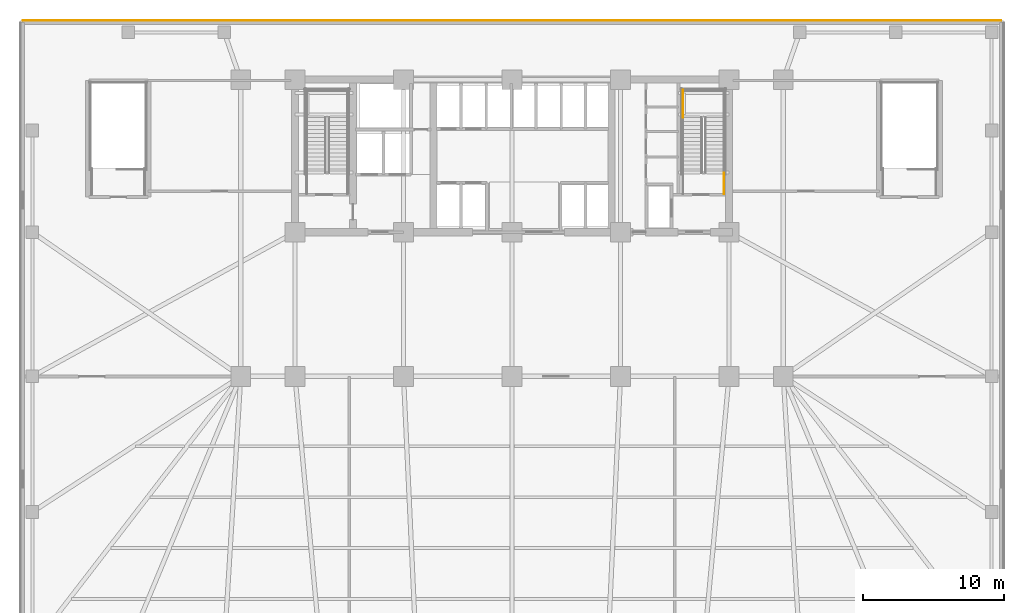
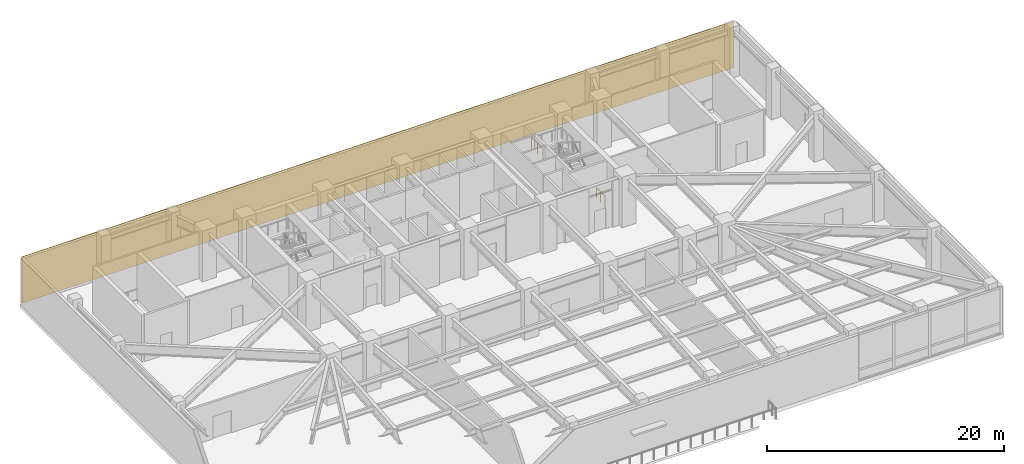
# One storey, part 13 of 15: 2 railings, 1 covering.
"""IFC4 building model written with IfcOpenShell, lengths in metres."""

from ifc_helpers import new_model, si_unit, direction, frame, frame_2d, origin, origin_2d, place, context, subcontext, project, spatial, rectangle, circle, extrude, material, layer, layer_set, type_object, element, save


model = new_model("IFC4")

# Units and contexts
model_context = context("Model", 3, precision=1e-05, world=origin(), true_north=direction((0.0, 1.0)))
body_context = subcontext(model_context, "Body", "Model", "MODEL_VIEW")
ifc_project = project(units=[si_unit("LENGTHUNIT", "METRE"), si_unit("AREAUNIT", "SQUARE_METRE"), si_unit("VOLUMEUNIT", "CUBIC_METRE"), si_unit("PLANEANGLEUNIT", "RADIAN"), si_unit("MASSUNIT", "GRAM", prefix="KILO")], contexts=[model_context])

# Site, building, storey
site_placement = place(None, origin())
site = spatial("IfcSite", under=ifc_project, at=site_placement, CompositionType="ELEMENT")
building_placement = place(site_placement, origin())
building = spatial("IfcBuilding", under=site, at=building_placement, Name="Yelkora Congress Tower", CompositionType="ELEMENT")
storey_placement = place(building_placement, frame((0.0, 0.0, 25.199951171875)))
storey = spatial("IfcBuildingStorey", under=building, at=storey_placement, Name="L05", CompositionType="ELEMENT", Elevation=25.199951171875)

# Covering
ifc_material_1 = material(Name="Anatolian honed limestone ashlar", Category="masonry")
ifc_layer_1 = layer(ifc_material_1, 0.050048828125)
ifc_layer_set_1 = layer_set([ifc_layer_1], Name="Anatolian honed limestone ashlar")
covering_type = type_object("IfcCoveringType", Name="COV-CLAD-LIMESTONE-50", PredefinedType="CLADDING", material=ifc_layer_set_1)
covering_placement = place(storey_placement, frame((3.760009765625, 50.39990234375, 0.0), z_axis=(0.0, 0.0, 1.0), x_axis=(1.0, 0.0, 0.0)))
element("IfcCovering", 1, at=covering_placement, inside=storey, type_object=covering_type, Name="L05 Anatolian Limestone Cladding EW-L05-E02", PredefinedType="CLADDING", context=body_context, shape_type="SweptSolid", body=[
    extrude(rectangle(XDim=69.280029296875, YDim=0.050048828125, at=frame_2d((34.64013671875, 0.0))), origin(), (0.0, 0.0, 1.0), 4.780029296875),
])

# Railings
ifc_material_2 = material(Name="Painted galvanised steel stair well guard with vertical infill", Category="steel")
ifc_layer_2 = layer(ifc_material_2, 0.06005859375)
ifc_layer_set_2 = layer_set([ifc_layer_2], Name="Painted galvanised steel stair well guard with vertical infill")
railing_type = type_object("IfcRailingType", Name="RAIL-STAIR-GUARD-1120", PredefinedType="GUARDRAIL", material=ifc_layer_set_2)
railing_1_placement = place(storey_placement, frame((50.510009765625, 43.52001953125, 2.60009765625)))
element("IfcRailing", 2, at=railing_1_placement, inside=storey, type_object=railing_type, Name="ST-02 L05 Stair Well Guardrail 4", PredefinedType="GUARDRAIL", context=body_context, shape_type="SweptSolid", body=[
    extrude(circle(Radius=0.02392578125, at=origin_2d()), frame((0.0, 0.0, 1.09619140625), z_axis=(0.0, 1.0, 0.0), x_axis=(-1.0, 0.0, 0.0)), (0.0, 0.0, 1.0), 1.949951171875),
    extrude(circle(Radius=0.02099609375, at=origin_2d()), origin(), (0.0, 0.0, 1.0), 1.072021484375),
    extrude(circle(Radius=0.02099609375, at=origin_2d()), frame((0.0, 0.97509765625, 0.0)), (0.0, 0.0, 1.0), 1.072021484375),
    extrude(circle(Radius=0.02099609375, at=origin_2d()), frame((0.0, 1.949951171875, 0.0)), (0.0, 0.0, 1.0), 1.072021484375),
])
railing_2_placement = place(storey_placement, frame((53.409912109375, 38.1201171875, 0.0)))
element("IfcRailing", 3, at=railing_2_placement, inside=storey, type_object=railing_type, Name="ST-02 L05 Stair Well Guardrail 8", PredefinedType="GUARDRAIL", context=body_context, shape_type="SweptSolid", body=[
    extrude(circle(Radius=0.02392578125, at=origin_2d()), frame((0.0, 0.0, 1.09619140625), z_axis=(0.0, 1.0, 0.0), x_axis=(-1.0, 0.0, 0.0)), (0.0, 0.0, 1.0), 1.47998046875),
    extrude(circle(Radius=0.02099609375, at=origin_2d()), origin(), (0.0, 0.0, 1.0), 1.072021484375),
    extrude(circle(Radius=0.02099609375, at=origin_2d()), frame((0.0, 0.739990234375, 0.0)), (0.0, 0.0, 1.0), 1.072021484375),
    extrude(circle(Radius=0.02099609375, at=origin_2d()), frame((0.0, 1.47998046875, 0.0)), (0.0, 0.0, 1.0), 1.072021484375),
])

save(model, "model.ifc")
